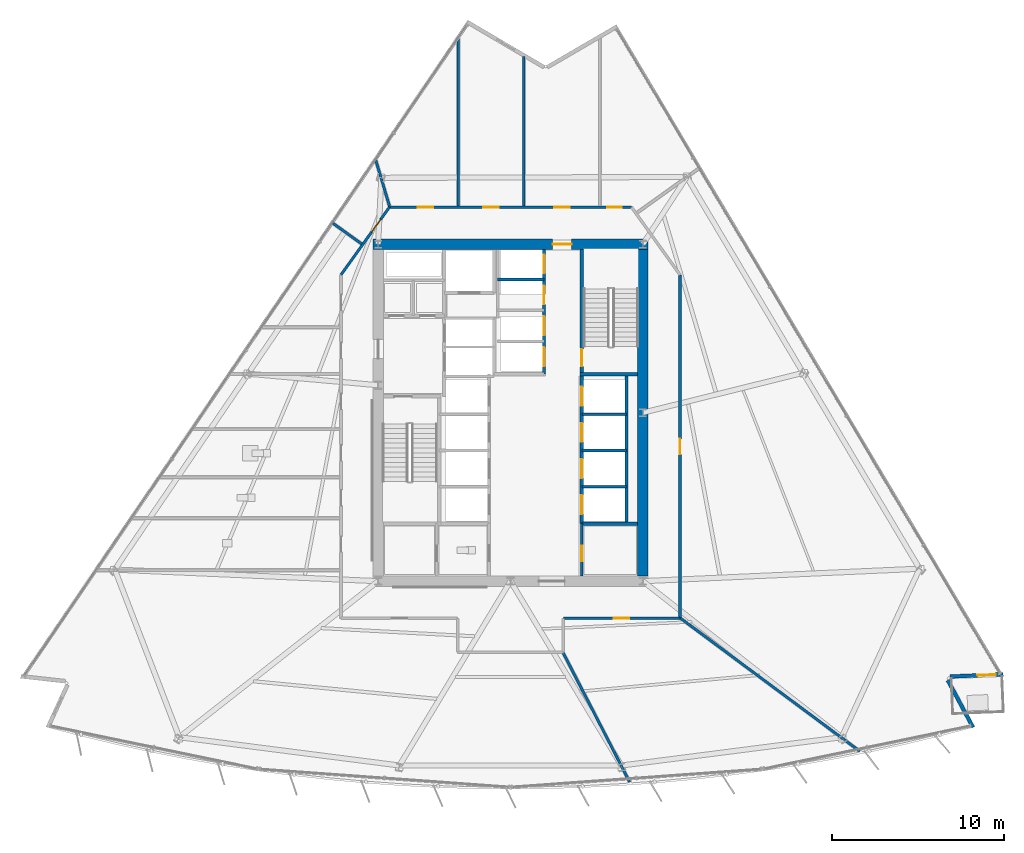
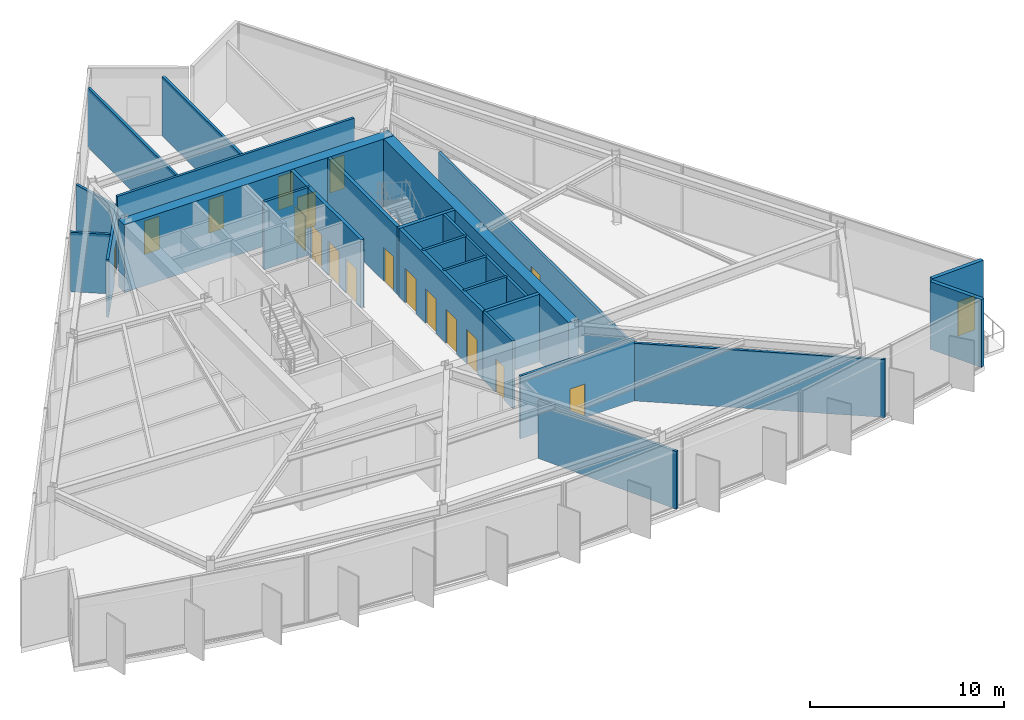
# One storey, part 8 of 14: 25 walls, 19 doors, 19 openings.
"""IFC4 building model written with IfcOpenShell, lengths in metres."""

from ifc_helpers import new_model, si_unit, direction, frame, frame_2d, origin, place, context, subcontext, project, spatial, rectangle, extrude, material, layer, layer_set, type_object, element, fill, save


model = new_model("IFC4")

# Units and contexts
model_context = context("Model", 3, precision=1e-05, world=origin(), true_north=direction((0.0, 1.0)))
body_context = subcontext(model_context, "Body", "Model", "MODEL_VIEW")
ifc_project = project(units=[si_unit("LENGTHUNIT", "METRE"), si_unit("AREAUNIT", "SQUARE_METRE"), si_unit("VOLUMEUNIT", "CUBIC_METRE"), si_unit("PLANEANGLEUNIT", "RADIAN"), si_unit("MASSUNIT", "GRAM", prefix="KILO")], contexts=[model_context])

# Site, building, storey
site_placement = place(None, origin())
site = spatial("IfcSite", under=ifc_project, at=site_placement, CompositionType="ELEMENT")
building_placement = place(site_placement, origin())
building = spatial("IfcBuilding", under=site, at=building_placement, Name="Savorim Split Tower", CompositionType="ELEMENT")
storey_placement = place(building_placement, frame((0.0, 0.0, 78.0)))
storey = spatial("IfcBuildingStorey", under=building, at=storey_placement, Name="L20", CompositionType="ELEMENT", Elevation=78.0)

# Wall, opening, door
ifc_material_1 = material(Name="Concrete C60/75", Category="concrete")
ifc_layer_1 = layer(ifc_material_1, 0.60009765625)
ifc_layer_set_1 = layer_set([ifc_layer_1], Name="WAL-COR-SH600")
wall_type_1 = type_object("IfcWallType", Name="WAL-COR-SH600", PredefinedType="SHEAR", material=ifc_layer_set_1)
wall_1_placement = place(storey_placement, frame((8.0, 10.199951171875, 0.0), z_axis=(0.0, 0.0, 1.0), x_axis=(-1.0, 0.0, 0.0)))
wall_1 = element("IfcWall", 1, at=wall_1_placement, inside=storey, type_object=wall_type_1, Name="L20 Offset Core North Shear Wall", PredefinedType="SHEAR", context=body_context, shape_type="SweptSolid", body=[
    extrude(rectangle(XDim=16.0, YDim=0.60009765625, at=frame_2d((8.0, 0.0))), origin(), (0.0, 0.0, 1.0), 4.25),
])
opening_1_placement = place(wall_1_placement, frame((4.449951171875, 0.0, 0.0)))
opening_1 = element("IfcOpeningElement", 2, at=opening_1_placement, cuts=wall_1, Name="Opening DI-03", PredefinedType="OPENING", context=body_context, shape_type="SweptSolid", body=[
    extrude(rectangle(XDim=1.10009765625, YDim=2.14990234375, at=frame_2d((0.550048828125, 1.074951171875))), frame((0.0, 0.31005859375, 0.0), z_axis=(0.0, -1.0, 0.0), x_axis=(1.0, 0.0, 0.0)), (0.0, 0.0, 1.0), 0.6201171875),
])
ifc_material_2 = material(Name="Timber Fire Door Leaf", Category="wood")
door_type_1 = type_object("IfcDoorType", Name="DOR-FIR-1100", OperationType="NOTDEFINED", PredefinedType="DOOR", material=ifc_material_2)
door_1_placement = place(opening_1_placement, origin())
door_1 = element("IfcDoor", 3, at=door_1_placement, inside=storey, type_object=door_type_1, Name="DOR-L20-COR-NLOB - L20 North Corridor Lobby Fire Door", OperationType="SINGLE_SWING_LEFT", OverallHeight=2.14990234375, OverallWidth=1.10009765625, PredefinedType="DOOR", context=body_context, shape_type="SweptSolid", body=[
    extrude(rectangle(XDim=1.10009765625, YDim=2.14990234375, at=frame_2d((0.550048828125, 1.074951171875))), frame((0.0, 0.02490234375, 0.0), z_axis=(0.0, -1.0, 0.0), x_axis=(1.0, 0.0, 0.0)), (0.0, 0.0, 1.0), 0.050048828125),
])
fill(opening_1, door_1)

# Walls
wall_2_placement = place(storey_placement, frame((7.699951171875, 9.89990234375, 0.0), z_axis=(0.0, 0.0, 1.0), x_axis=(0.0, -1.0, 0.0)))
element("IfcWall", 4, at=wall_2_placement, inside=storey, type_object=wall_type_1, Name="L20 Offset Core East Shear Wall", PredefinedType="SHEAR", context=body_context, shape_type="SweptSolid", body=[
    extrude(rectangle(XDim=19.0, YDim=0.60009765625, at=frame_2d((9.5, 0.0))), origin(), (0.0, 0.0, 1.0), 4.25),
])
ifc_material_3 = material(Name="Precast concrete C40/50", Category="concrete")
ifc_layer_2 = layer(ifc_material_3, 0.219970703125)
ifc_layer_set_2 = layer_set([ifc_layer_2], Name="WAL-EXT-CRN220")
wall_type_2 = type_object("IfcWallType", Name="WAL-EXT-CRN220", PredefinedType="SOLIDWALL", material=ifc_layer_set_2)
wall_3_placement = place(storey_placement, frame((25.44189453125, -15.164794921875, 0.0), z_axis=(0.0, 0.0, 1.0), x_axis=(0.472811757317, -0.881163459378, 0.0)))
element("IfcWall", 5, at=wall_3_placement, inside=storey, type_object=wall_type_2, Name="L20 Notched Corner Facade Wall SE1", PredefinedType="SOLIDWALL", context=body_context, shape_type="SweptSolid", body=[
    extrude(rectangle(XDim=3.109619140625, YDim=0.219970703125, at=frame_2d((1.5546875, 0.0))), origin(), (0.0, 0.0, 1.0), 4.25),
])

# Wall, opening, door
wall_4_placement = place(storey_placement, frame((28.667236328125, -14.819091796875, 0.0), z_axis=(0.0, 0.0, 1.0), x_axis=(-0.99909228571, -0.042598176436, 0.0)))
wall_4 = element("IfcWall", 6, at=wall_4_placement, inside=storey, type_object=wall_type_2, Name="L20 Notched Corner Facade Wall SE", PredefinedType="SOLIDWALL", context=body_context, shape_type="SweptSolid", body=[
    extrude(rectangle(XDim=3.1064453125, YDim=0.219970703125, at=frame_2d((1.55322265625, 0.0))), origin(), (0.0, 0.0, 1.0), 4.25),
])
opening_2_placement = place(wall_4_placement, frame((0.4482421875, 0.0, 0.0)))
opening_2 = element("IfcOpeningElement", 7, at=opening_2_placement, cuts=wall_4, Name="Opening DB-01", PredefinedType="OPENING", context=body_context, shape_type="SweptSolid", body=[
    extrude(rectangle(XDim=1.050048828125, YDim=2.14990234375, at=frame_2d((0.52490234375, 1.074951171875))), frame((0.0, 0.119873046875, 0.0), z_axis=(0.0, -1.0, 0.0), x_axis=(1.0, 0.0, 0.0)), (0.0, 0.0, 1.0), 0.239990234375),
])
ifc_material_4 = material(Name="Charcoal Anodised Aluminium", Category="aluminium")
door_type_2 = type_object("IfcDoorType", Name="DOR-BAL-1050", OperationType="NOTDEFINED", PredefinedType="DOOR", material=ifc_material_4)
door_2_placement = place(opening_2_placement, origin())
door_2 = element("IfcDoor", 8, at=door_2_placement, inside=storey, type_object=door_type_2, Name="DOR-L20-TBAL-SE - L20 Planted Tree Balcony Door SE", OperationType="SINGLE_SWING_LEFT", OverallHeight=2.14990234375, OverallWidth=1.050048828125, PredefinedType="DOOR", context=body_context, shape_type="SweptSolid", body=[
    extrude(rectangle(XDim=1.050048828125, YDim=2.14990234375, at=frame_2d((0.52490234375, 1.074951171875))), frame((0.0, 0.02490234375, 0.0), z_axis=(0.0, -1.0, 0.0), x_axis=(1.0, 0.0, 0.0)), (0.0, 0.0, 1.0), 0.050048828125),
])
fill(opening_2, door_2)

ifc_material_5 = material(Name="Concrete C50/60", Category="concrete")
ifc_layer_3 = layer(ifc_material_5, 0.199951171875)
ifc_layer_set_3 = layer_set([ifc_layer_3], Name="WAL-INT-RC200")
wall_type_3 = type_object("IfcWallType", Name="WAL-INT-RC200", PredefinedType="SOLIDWALL", material=ifc_layer_set_3)
wall_5_placement = place(storey_placement, frame((4.14990234375, 2.75, 0.0), z_axis=(0.0, 0.0, 1.0), x_axis=(0.0, 1.0, 0.0)))
wall_5 = element("IfcWall", 9, at=wall_5_placement, inside=storey, type_object=wall_type_3, Name="L20 Structural Shaft Wall W-L20-CR07", PredefinedType="SOLIDWALL", context=body_context, shape_type="SweptSolid", body=[
    extrude(rectangle(XDim=7.14990234375, YDim=0.199951171875, at=frame_2d((3.574951171875, 0.0))), origin(), (0.0, 0.0, 1.0), 4.25),
])
opening_3_placement = place(wall_5_placement, frame((0.35009765625, 0.0, 0.0)))
opening_3 = element("IfcOpeningElement", 10, at=opening_3_placement, cuts=wall_5, Name="Opening DI-04", PredefinedType="OPENING", context=body_context, shape_type="SweptSolid", body=[
    extrude(rectangle(XDim=1.0, YDim=2.14990234375, at=frame_2d((0.5, 1.074951171875))), frame((0.0, 0.10986328125, 0.0), z_axis=(0.0, -1.0, 0.0), x_axis=(1.0, 0.0, 0.0)), (0.0, 0.0, 1.0), 0.219970703125),
])
door_type_3 = type_object("IfcDoorType", Name="DOR-FIR-1000", OperationType="NOTDEFINED", PredefinedType="DOOR", material=ifc_material_2)
door_3_placement = place(opening_3_placement, origin())
door_3 = element("IfcDoor", 11, at=door_3_placement, inside=storey, type_object=door_type_3, Name="DR-L20-ST2 - L20 Stair ST-2 Enclosure Door", OperationType="SINGLE_SWING_RIGHT", OverallHeight=2.14990234375, OverallWidth=1.0, PredefinedType="DOOR", context=body_context, shape_type="SweptSolid", body=[
    extrude(rectangle(XDim=1.0, YDim=2.14990234375, at=frame_2d((0.5, 1.074951171875))), frame((0.0, 0.02490234375, 0.0), z_axis=(0.0, -1.0, 0.0), x_axis=(1.0, 0.0, 0.0)), (0.0, 0.0, 1.0), 0.050048828125),
])
fill(opening_3, door_3)

# Wall
wall_6_placement = place(storey_placement, frame((4.050048828125, 2.64990234375, 0.0), z_axis=(0.0, 0.0, 1.0), x_axis=(1.0, 0.0, 0.0)))
element("IfcWall", 12, at=wall_6_placement, inside=storey, type_object=wall_type_3, Name="L20 Structural Shaft Wall W-L20-CR08", PredefinedType="SOLIDWALL", context=body_context, shape_type="SweptSolid", body=[
    extrude(rectangle(XDim=3.349853515625, YDim=0.199951171875, at=frame_2d((1.6748046875, 0.0))), origin(), (0.0, 0.0, 1.0), 4.25),
])

# Wall, openings, doors
wall_7_placement = place(storey_placement, frame((4.14990234375, -6.050048828125, 0.0), z_axis=(0.0, 0.0, 1.0), x_axis=(0.0, 1.0, 0.0)))
wall_7 = element("IfcWall", 13, at=wall_7_placement, inside=storey, type_object=wall_type_3, Name="L20 Partition W-L20-B1FRONT", PredefinedType="SOLIDWALL", context=body_context, shape_type="SweptSolid", body=[
    extrude(rectangle(XDim=8.699951171875, YDim=0.199951171875, at=frame_2d((4.35009765625, 0.0))), origin(), (0.0, 0.0, 1.0), 4.25),
])
opening_4_placement = place(wall_7_placement, frame((0.550048828125, 0.0, 0.0)))
opening_4 = element("IfcOpeningElement", 14, at=opening_4_placement, cuts=wall_7, Name="Opening LD-01", PredefinedType="OPENING", context=body_context, shape_type="SweptSolid", body=[
    extrude(rectangle(XDim=1.10009765625, YDim=2.14990234375, at=frame_2d((0.550048828125, 1.074951171875))), frame((0.0, 0.10986328125, 0.0), z_axis=(0.0, -1.0, 0.0), x_axis=(1.0, 0.0, 0.0)), (0.0, 0.0, 1.0), 0.219970703125),
])
opening_5_placement = place(wall_7_placement, frame((2.64990234375, 0.0, 0.0)))
opening_5 = element("IfcOpeningElement", 15, at=opening_5_placement, cuts=wall_7, Name="Opening LD-01", PredefinedType="OPENING", context=body_context, shape_type="SweptSolid", body=[
    extrude(rectangle(XDim=1.10009765625, YDim=2.14990234375, at=frame_2d((0.550048828125, 1.074951171875))), frame((0.0, 0.10986328125, 0.0), z_axis=(0.0, -1.0, 0.0), x_axis=(1.0, 0.0, 0.0)), (0.0, 0.0, 1.0), 0.219970703125),
])
opening_6_placement = place(wall_7_placement, frame((4.75, 0.0, 0.0)))
opening_6 = element("IfcOpeningElement", 16, at=opening_6_placement, cuts=wall_7, Name="Opening LD-01", PredefinedType="OPENING", context=body_context, shape_type="SweptSolid", body=[
    extrude(rectangle(XDim=1.10009765625, YDim=2.14990234375, at=frame_2d((0.550048828125, 1.074951171875))), frame((0.0, 0.10986328125, 0.0), z_axis=(0.0, -1.0, 0.0), x_axis=(1.0, 0.0, 0.0)), (0.0, 0.0, 1.0), 0.219970703125),
])
opening_7_placement = place(wall_7_placement, frame((6.85009765625, 0.0, 0.0)))
opening_7 = element("IfcOpeningElement", 17, at=opening_7_placement, cuts=wall_7, Name="Opening LD-01", PredefinedType="OPENING", context=body_context, shape_type="SweptSolid", body=[
    extrude(rectangle(XDim=1.10009765625, YDim=2.14990234375, at=frame_2d((0.550048828125, 1.074951171875))), frame((0.0, 0.10986328125, 0.0), z_axis=(0.0, -1.0, 0.0), x_axis=(1.0, 0.0, 0.0)), (0.0, 0.0, 1.0), 0.219970703125),
])
door_type_4 = type_object("IfcDoorType", Name="DOR-SLD-LD1100", OperationType="NOTDEFINED", PredefinedType="DOOR", material=ifc_material_4)
door_4_placement = place(opening_4_placement, origin())
door_4 = element("IfcDoor", 18, at=door_4_placement, inside=storey, type_object=door_type_4, Name="DR-L20-LD-PLL1 - L20 Lift PL-L1 Sliding Landing Door", OperationType="DOUBLE_DOOR_SLIDING", OverallHeight=2.14990234375, OverallWidth=1.10009765625, PredefinedType="DOOR", context=body_context, shape_type="SweptSolid", body=[
    extrude(rectangle(XDim=1.10009765625, YDim=2.14990234375, at=frame_2d((0.550048828125, 1.074951171875))), frame((0.0, 0.02490234375, 0.0), z_axis=(0.0, -1.0, 0.0), x_axis=(1.0, 0.0, 0.0)), (0.0, 0.0, 1.0), 0.050048828125),
])
fill(opening_4, door_4)
door_5_placement = place(opening_5_placement, origin())
door_5 = element("IfcDoor", 19, at=door_5_placement, inside=storey, type_object=door_type_4, Name="DR-L20-LD-PLL2 - L20 Lift PL-L2 Sliding Landing Door", OperationType="DOUBLE_DOOR_SLIDING", OverallHeight=2.14990234375, OverallWidth=1.10009765625, PredefinedType="DOOR", context=body_context, shape_type="SweptSolid", body=[
    extrude(rectangle(XDim=1.10009765625, YDim=2.14990234375, at=frame_2d((0.550048828125, 1.074951171875))), frame((0.0, 0.02490234375, 0.0), z_axis=(0.0, -1.0, 0.0), x_axis=(1.0, 0.0, 0.0)), (0.0, 0.0, 1.0), 0.050048828125),
])
fill(opening_5, door_5)
door_6_placement = place(opening_6_placement, origin())
door_6 = element("IfcDoor", 20, at=door_6_placement, inside=storey, type_object=door_type_4, Name="DR-L20-LD-PLL3 - L20 Lift PL-L3 Sliding Landing Door", OperationType="DOUBLE_DOOR_SLIDING", OverallHeight=2.14990234375, OverallWidth=1.10009765625, PredefinedType="DOOR", context=body_context, shape_type="SweptSolid", body=[
    extrude(rectangle(XDim=1.10009765625, YDim=2.14990234375, at=frame_2d((0.550048828125, 1.074951171875))), frame((0.0, 0.02490234375, 0.0), z_axis=(0.0, -1.0, 0.0), x_axis=(1.0, 0.0, 0.0)), (0.0, 0.0, 1.0), 0.050048828125),
])
fill(opening_6, door_6)
door_7_placement = place(opening_7_placement, origin())
door_7 = element("IfcDoor", 21, at=door_7_placement, inside=storey, type_object=door_type_4, Name="DR-L20-LD-PLL4 - L20 Lift PL-L4 Sliding Landing Door", OperationType="DOUBLE_DOOR_SLIDING", OverallHeight=2.14990234375, OverallWidth=1.10009765625, PredefinedType="DOOR", context=body_context, shape_type="SweptSolid", body=[
    extrude(rectangle(XDim=1.10009765625, YDim=2.14990234375, at=frame_2d((0.550048828125, 1.074951171875))), frame((0.0, 0.02490234375, 0.0), z_axis=(0.0, -1.0, 0.0), x_axis=(1.0, 0.0, 0.0)), (0.0, 0.0, 1.0), 0.050048828125),
])
fill(opening_7, door_7)

wall_8_placement = place(storey_placement, frame((1.949951171875, 2.64990234375, 0.0), z_axis=(0.0, 0.0, 1.0), x_axis=(0.0, 1.0, 0.0)))
wall_8 = element("IfcWall", 22, at=wall_8_placement, inside=storey, type_object=wall_type_3, Name="L20 Partition W-L20-B3FRONT", PredefinedType="SOLIDWALL", context=body_context, shape_type="SweptSolid", body=[
    extrude(rectangle(XDim=7.2451171875, YDim=0.199951171875, at=frame_2d((3.62255859375, 0.0))), origin(), (0.0, 0.0, 1.0), 4.25),
])
opening_8_placement = place(wall_8_placement, frame((0.449951171875, 0.0, 0.0)))
opening_8 = element("IfcOpeningElement", 23, at=opening_8_placement, cuts=wall_8, Name="Opening LD-03", PredefinedType="OPENING", context=body_context, shape_type="SweptSolid", body=[
    extrude(rectangle(XDim=1.10009765625, YDim=2.14990234375, at=frame_2d((0.550048828125, 1.074951171875))), frame((0.0, 0.10986328125, 0.0), z_axis=(0.0, -1.0, 0.0), x_axis=(1.0, 0.0, 0.0)), (0.0, 0.0, 1.0), 0.219970703125),
])
opening_9_placement = place(wall_8_placement, frame((2.25, 0.0, 0.0)))
opening_9 = element("IfcOpeningElement", 24, at=opening_9_placement, cuts=wall_8, Name="Opening LD-03", PredefinedType="OPENING", context=body_context, shape_type="SweptSolid", body=[
    extrude(rectangle(XDim=1.10009765625, YDim=2.14990234375, at=frame_2d((0.550048828125, 1.074951171875))), frame((0.0, 0.10986328125, 0.0), z_axis=(0.0, -1.0, 0.0), x_axis=(1.0, 0.0, 0.0)), (0.0, 0.0, 1.0), 0.219970703125),
])
opening_10_placement = place(wall_8_placement, frame((4.050048828125, 0.0, 0.0)))
opening_10 = element("IfcOpeningElement", 25, at=opening_10_placement, cuts=wall_8, Name="Opening LD-03", PredefinedType="OPENING", context=body_context, shape_type="SweptSolid", body=[
    extrude(rectangle(XDim=1.10009765625, YDim=2.14990234375, at=frame_2d((0.550048828125, 1.074951171875))), frame((0.0, 0.10986328125, 0.0), z_axis=(0.0, -1.0, 0.0), x_axis=(1.0, 0.0, 0.0)), (0.0, 0.0, 1.0), 0.219970703125),
])
opening_11_placement = place(wall_8_placement, frame((5.85009765625, 0.0, 0.0)))
opening_11 = element("IfcOpeningElement", 26, at=opening_11_placement, cuts=wall_8, Name="Opening LD-03", PredefinedType="OPENING", context=body_context, shape_type="SweptSolid", body=[
    extrude(rectangle(XDim=1.10009765625, YDim=2.14990234375, at=frame_2d((0.550048828125, 1.074951171875))), frame((0.0, 0.10986328125, 0.0), z_axis=(0.0, -1.0, 0.0), x_axis=(1.0, 0.0, 0.0)), (0.0, 0.0, 1.0), 0.219970703125),
])
door_type_5 = type_object("IfcDoorType", Name="DOR-SLD-LDH1100", OperationType="NOTDEFINED", PredefinedType="DOOR", material=ifc_material_4)
door_8_placement = place(opening_8_placement, origin())
door_8 = element("IfcDoor", 27, at=door_8_placement, inside=storey, type_object=door_type_5, Name="DR-L20-LD-PLH1 - L20 Lift PL-H1 Sliding Landing Door", OperationType="DOUBLE_DOOR_SLIDING", OverallHeight=2.14990234375, OverallWidth=1.10009765625, PredefinedType="DOOR", context=body_context, shape_type="SweptSolid", body=[
    extrude(rectangle(XDim=1.10009765625, YDim=2.14990234375, at=frame_2d((0.550048828125, 1.074951171875))), frame((0.0, 0.02490234375, 0.0), z_axis=(0.0, -1.0, 0.0), x_axis=(1.0, 0.0, 0.0)), (0.0, 0.0, 1.0), 0.050048828125),
])
fill(opening_8, door_8)
door_9_placement = place(opening_9_placement, origin())
door_9 = element("IfcDoor", 28, at=door_9_placement, inside=storey, type_object=door_type_5, Name="DR-L20-LD-PLH2 - L20 Lift PL-H2 Sliding Landing Door", OperationType="DOUBLE_DOOR_SLIDING", OverallHeight=2.14990234375, OverallWidth=1.10009765625, PredefinedType="DOOR", context=body_context, shape_type="SweptSolid", body=[
    extrude(rectangle(XDim=1.10009765625, YDim=2.14990234375, at=frame_2d((0.550048828125, 1.074951171875))), frame((0.0, 0.02490234375, 0.0), z_axis=(0.0, -1.0, 0.0), x_axis=(1.0, 0.0, 0.0)), (0.0, 0.0, 1.0), 0.050048828125),
])
fill(opening_9, door_9)
door_10_placement = place(opening_10_placement, origin())
door_10 = element("IfcDoor", 29, at=door_10_placement, inside=storey, type_object=door_type_5, Name="DR-L20-LD-PLH3 - L20 Lift PL-H3 Sliding Landing Door", OperationType="DOUBLE_DOOR_SLIDING", OverallHeight=2.14990234375, OverallWidth=1.10009765625, PredefinedType="DOOR", context=body_context, shape_type="SweptSolid", body=[
    extrude(rectangle(XDim=1.10009765625, YDim=2.14990234375, at=frame_2d((0.550048828125, 1.074951171875))), frame((0.0, 0.02490234375, 0.0), z_axis=(0.0, -1.0, 0.0), x_axis=(1.0, 0.0, 0.0)), (0.0, 0.0, 1.0), 0.050048828125),
])
fill(opening_10, door_10)
door_11_placement = place(opening_11_placement, origin())
door_11 = element("IfcDoor", 30, at=door_11_placement, inside=storey, type_object=door_type_5, Name="DR-L20-LD-PLH4 - L20 Lift PL-H4 Sliding Landing Door", OperationType="DOUBLE_DOOR_SLIDING", OverallHeight=2.14990234375, OverallWidth=1.10009765625, PredefinedType="DOOR", context=body_context, shape_type="SweptSolid", body=[
    extrude(rectangle(XDim=1.10009765625, YDim=2.14990234375, at=frame_2d((0.550048828125, 1.074951171875))), frame((0.0, 0.02490234375, 0.0), z_axis=(0.0, -1.0, 0.0), x_axis=(1.0, 0.0, 0.0)), (0.0, 0.0, 1.0), 0.050048828125),
])
fill(opening_11, door_11)

# Walls
wall_9_placement = place(storey_placement, frame((4.14990234375, -6.050048828125, 0.0), z_axis=(0.0, 0.0, 1.0), x_axis=(1.0, 0.0, 0.0)))
element("IfcWall", 31, at=wall_9_placement, inside=storey, type_object=wall_type_3, Name="L20 Partition W-L20-KSEP-E", PredefinedType="SOLIDWALL", context=body_context, shape_type="SweptSolid", body=[
    extrude(rectangle(XDim=3.2451171875, YDim=0.199951171875, at=frame_2d((1.62255859375, 0.0))), origin(), (0.0, 0.0, 1.0), 4.25),
])
ifc_material_6 = material(Name="Acoustic Gypsum Partition Board")
ifc_layer_4 = layer(ifc_material_6, 0.14990234375)
ifc_layer_set_4 = layer_set([ifc_layer_4], Name="WAL-PAR-150")
wall_type_4 = type_object("IfcWallType", Name="WAL-PAR-150", PredefinedType="PARTITIONING", material=ifc_layer_set_4)
wall_10_placement = place(storey_placement, frame((6.75, -6.050048828125, 0.0), z_axis=(0.0, 0.0, 1.0), x_axis=(0.0, 1.0, 0.0)))
element("IfcWall", 32, at=wall_10_placement, inside=storey, type_object=wall_type_4, Name="L20 Partition W-L20-B1BACK", PredefinedType="PARTITIONING", context=body_context, shape_type="SweptSolid", body=[
    extrude(rectangle(XDim=8.699951171875, YDim=0.14990234375, at=frame_2d((4.35009765625, 0.0))), origin(), (0.0, 0.0, 1.0), 4.25),
])
for number, where, z_axis, x_axis, name in (
    (33, (4.14990234375, -3.89990234375, 0.0), (0.0, 0.0, 1.0), (1.0, 0.0, 0.0), "L20 Partition W-L20-B1DIV1"),
    (34, (4.14990234375, -1.800048828125, 0.0), (0.0, 0.0, 1.0), (1.0, 0.0, 0.0), "L20 Partition W-L20-B1DIV2"),
    (35, (4.14990234375, 0.300048828125, 0.0), (0.0, 0.0, 1.0), (1.0, 0.0, 0.0), "L20 Partition W-L20-B1DIV3"),
):
    element("IfcWall", number, at=place(storey_placement, frame(where, z_axis=z_axis, x_axis=x_axis)), inside=storey, type_object=wall_type_4, Name=name, PredefinedType="PARTITIONING", context=body_context, shape_type="SweptSolid", body=[
        extrude(rectangle(XDim=2.60009765625, YDim=0.14990234375, at=frame_2d((1.300048828125, 0.0))), origin(), (0.0, 0.0, 1.0), 4.25),
    ])
wall_11_placement = place(storey_placement, frame((-0.75, 8.14990234375, 0.0), z_axis=(0.0, 0.0, 1.0), x_axis=(1.0, 0.0, 0.0)))
element("IfcWall", 36, at=wall_11_placement, inside=storey, type_object=wall_type_4, Name="L20 Partition W-L20-B3DIV3", PredefinedType="PARTITIONING", context=body_context, shape_type="SweptSolid", body=[
    extrude(rectangle(XDim=2.699951171875, YDim=0.14990234375, at=frame_2d((1.35009765625, 0.0))), origin(), (0.0, 0.0, 1.0), 4.25),
])

# Wall, opening, door
wall_12_placement = place(storey_placement, frame((4.14990234375, -9.094970703125, 0.0), z_axis=(0.0, 0.0, 1.0), x_axis=(0.0, 1.0, 0.0)))
wall_12 = element("IfcWall", 37, at=wall_12_placement, inside=storey, type_object=wall_type_4, Name="L20 Partition W-L20-KLOB-E", PredefinedType="PARTITIONING", context=body_context, shape_type="SweptSolid", body=[
    extrude(rectangle(XDim=3.044921875, YDim=0.14990234375, at=frame_2d((1.5224609375, 0.0))), origin(), (0.0, 0.0, 1.0), 4.25),
])
opening_12_placement = place(wall_12_placement, frame((0.844970703125, 0.0, 0.0)))
opening_12 = element("IfcOpeningElement", 38, at=opening_12_placement, cuts=wall_12, Name="Opening DI-06", PredefinedType="OPENING", context=body_context, shape_type="SweptSolid", body=[
    extrude(rectangle(XDim=0.89990234375, YDim=2.10009765625, at=frame_2d((0.449951171875, 1.050048828125))), frame((0.0, 0.0849609375, 0.0), z_axis=(0.0, -1.0, 0.0), x_axis=(1.0, 0.0, 0.0)), (0.0, 0.0, 1.0), 0.169921875),
])
door_type_6 = type_object("IfcDoorType", Name="DOR-FIR-900", OperationType="NOTDEFINED", PredefinedType="DOOR", material=ifc_material_2)
door_12_placement = place(opening_12_placement, origin())
door_12 = element("IfcDoor", 39, at=door_12_placement, inside=storey, type_object=door_type_6, Name="DR-L20-K1IT - L20 Core IT Room Door", OperationType="SINGLE_SWING_LEFT", OverallHeight=2.10009765625, OverallWidth=0.89990234375, PredefinedType="DOOR", context=body_context, shape_type="SweptSolid", body=[
    extrude(rectangle(XDim=0.89990234375, YDim=2.10009765625, at=frame_2d((0.449951171875, 1.050048828125))), frame((0.0, 0.02490234375, 0.0), z_axis=(0.0, -1.0, 0.0), x_axis=(1.0, 0.0, 0.0)), (0.0, 0.0, 1.0), 0.050048828125),
])
fill(opening_12, door_12)

wall_13_placement = place(storey_placement, frame((-9.860107421875, 8.42578125, 0.0), z_axis=(0.0, 0.0, 1.0), x_axis=(0.582449511476, 0.812866881218, 0.0)))
wall_13 = element("IfcWall", 40, at=wall_13_placement, inside=storey, type_object=wall_type_4, Name="L20 Partition W-L20-COR-02", PredefinedType="PARTITIONING", context=body_context, shape_type="SweptSolid", body=[
    extrude(rectangle(XDim=4.840087890625, YDim=0.14990234375, at=frame_2d((2.419921875, 0.0))), origin(), (0.0, 0.0, 1.0), 3.625),
])
opening_13_placement = place(wall_13_placement, frame((3.06103515625, 0.0, 0.0)))
opening_13 = element("IfcOpeningElement", 41, at=opening_13_placement, cuts=wall_13, Name="Opening DI-06", PredefinedType="OPENING", context=body_context, shape_type="SweptSolid", body=[
    extrude(rectangle(XDim=0.89990234375, YDim=2.10009765625, at=frame_2d((0.449951171875, 1.050048828125))), frame((0.0, 0.0849609375, 0.0), z_axis=(0.0, -1.0, 0.0), x_axis=(1.0, 0.0, 0.0)), (0.0, 0.0, 1.0), 0.169921875),
])
door_13_placement = place(opening_13_placement, origin())
door_13 = element("IfcDoor", 42, at=door_13_placement, inside=storey, type_object=door_type_6, Name="DR-L20-RM11 - L20 Co-Working Commons Entry Door", OperationType="SINGLE_SWING_RIGHT", OverallHeight=2.10009765625, OverallWidth=0.89990234375, PredefinedType="DOOR", context=body_context, shape_type="SweptSolid", body=[
    extrude(rectangle(XDim=0.89990234375, YDim=2.10009765625, at=frame_2d((0.449951171875, 1.050048828125))), frame((0.0, 0.02490234375, 0.0), z_axis=(0.0, -1.0, 0.0), x_axis=(1.0, 0.0, 0.0)), (0.0, 0.0, 1.0), 0.050048828125),
])
fill(opening_13, door_13)

# Wall, openings, doors
wall_14_placement = place(storey_placement, frame((-7.041015625, 12.360107421875, 0.0), z_axis=(0.0, 0.0, 1.0), x_axis=(1.0, 0.0, 0.0)))
wall_14 = element("IfcWall", 43, at=wall_14_placement, inside=storey, type_object=wall_type_4, Name="L20 Partition W-L20-COR-03", PredefinedType="PARTITIONING", context=body_context, shape_type="SweptSolid", body=[
    extrude(rectangle(XDim=14.08203125, YDim=0.14990234375, at=frame_2d((7.041015625, 0.0))), origin(), (0.0, 0.0, 1.0), 4.25),
])
opening_14_placement = place(wall_14_placement, frame((12.664794921875, 0.0, 0.0)))
opening_14 = element("IfcOpeningElement", 44, at=opening_14_placement, cuts=wall_14, Name="Opening DI-13", PredefinedType="OPENING", context=body_context, shape_type="SweptSolid", body=[
    extrude(rectangle(XDim=0.85009765625, YDim=2.10009765625, at=frame_2d((0.425048828125, 1.050048828125))), frame((0.0, 0.0849609375, 0.0), z_axis=(0.0, -1.0, 0.0), x_axis=(1.0, 0.0, 0.0)), (0.0, 0.0, 1.0), 0.169921875),
])
opening_15_placement = place(wall_14_placement, frame((9.58447265625, 0.0, 0.0)))
opening_15 = element("IfcOpeningElement", 45, at=opening_15_placement, cuts=wall_14, Name="Opening DI-06", PredefinedType="OPENING", context=body_context, shape_type="SweptSolid", body=[
    extrude(rectangle(XDim=0.89990234375, YDim=2.10009765625, at=frame_2d((0.449951171875, 1.050048828125))), frame((0.0, 0.0849609375, 0.0), z_axis=(0.0, -1.0, 0.0), x_axis=(1.0, 0.0, 0.0)), (0.0, 0.0, 1.0), 0.169921875),
])
opening_16_placement = place(wall_14_placement, frame((5.46484375, 0.0, 0.0)))
opening_16 = element("IfcOpeningElement", 46, at=opening_16_placement, cuts=wall_14, Name="Opening DI-06", PredefinedType="OPENING", context=body_context, shape_type="SweptSolid", body=[
    extrude(rectangle(XDim=0.89990234375, YDim=2.10009765625, at=frame_2d((0.449951171875, 1.050048828125))), frame((0.0, 0.0849609375, 0.0), z_axis=(0.0, -1.0, 0.0), x_axis=(1.0, 0.0, 0.0)), (0.0, 0.0, 1.0), 0.169921875),
])
opening_17_placement = place(wall_14_placement, frame((1.64208984375, 0.0, 0.0)))
opening_17 = element("IfcOpeningElement", 47, at=opening_17_placement, cuts=wall_14, Name="Opening DI-06", PredefinedType="OPENING", context=body_context, shape_type="SweptSolid", body=[
    extrude(rectangle(XDim=0.89990234375, YDim=2.10009765625, at=frame_2d((0.449951171875, 1.050048828125))), frame((0.0, 0.0849609375, 0.0), z_axis=(0.0, -1.0, 0.0), x_axis=(1.0, 0.0, 0.0)), (0.0, 0.0, 1.0), 0.169921875),
])
door_type_7 = type_object("IfcDoorType", Name="DOR-FIR-850", OperationType="NOTDEFINED", PredefinedType="DOOR", material=ifc_material_2)
door_14_placement = place(opening_14_placement, origin())
door_14 = element("IfcDoor", 48, at=door_14_placement, inside=storey, type_object=door_type_7, Name="DR-L20-RM07 - L20 Communal Lounge Entry Door", OperationType="SINGLE_SWING_RIGHT", OverallHeight=2.10009765625, OverallWidth=0.85009765625, PredefinedType="DOOR", context=body_context, shape_type="SweptSolid", body=[
    extrude(rectangle(XDim=0.85009765625, YDim=2.10009765625, at=frame_2d((0.425048828125, 1.050048828125))), frame((0.0, 0.02490234375, 0.0), z_axis=(0.0, -1.0, 0.0), x_axis=(1.0, 0.0, 0.0)), (0.0, 0.0, 1.0), 0.050048828125),
])
fill(opening_14, door_14)
door_15_placement = place(opening_15_placement, origin())
door_15 = element("IfcDoor", 49, at=door_15_placement, inside=storey, type_object=door_type_6, Name="DR-L20-RM08 - L20 Quiet Study Room Entry Door", OperationType="SINGLE_SWING_LEFT", OverallHeight=2.10009765625, OverallWidth=0.89990234375, PredefinedType="DOOR", context=body_context, shape_type="SweptSolid", body=[
    extrude(rectangle(XDim=0.89990234375, YDim=2.10009765625, at=frame_2d((0.449951171875, 1.050048828125))), frame((0.0, 0.02490234375, 0.0), z_axis=(0.0, -1.0, 0.0), x_axis=(1.0, 0.0, 0.0)), (0.0, 0.0, 1.0), 0.050048828125),
])
fill(opening_15, door_15)
door_16_placement = place(opening_16_placement, origin())
door_16 = element("IfcDoor", 50, at=door_16_placement, inside=storey, type_object=door_type_6, Name="DR-L20-RM09 - L20 Co-Working Commons Entry Door", OperationType="SINGLE_SWING_RIGHT", OverallHeight=2.10009765625, OverallWidth=0.89990234375, PredefinedType="DOOR", context=body_context, shape_type="SweptSolid", body=[
    extrude(rectangle(XDim=0.89990234375, YDim=2.10009765625, at=frame_2d((0.449951171875, 1.050048828125))), frame((0.0, 0.02490234375, 0.0), z_axis=(0.0, -1.0, 0.0), x_axis=(1.0, 0.0, 0.0)), (0.0, 0.0, 1.0), 0.050048828125),
])
fill(opening_16, door_16)
door_17_placement = place(opening_17_placement, origin())
door_17 = element("IfcDoor", 51, at=door_17_placement, inside=storey, type_object=door_type_6, Name="DR-L20-RM10 - L20 Quiet Study Room Entry Door", OperationType="SINGLE_SWING_LEFT", OverallHeight=2.10009765625, OverallWidth=0.89990234375, PredefinedType="DOOR", context=body_context, shape_type="SweptSolid", body=[
    extrude(rectangle(XDim=0.89990234375, YDim=2.10009765625, at=frame_2d((0.449951171875, 1.050048828125))), frame((0.0, 0.02490234375, 0.0), z_axis=(0.0, -1.0, 0.0), x_axis=(1.0, 0.0, 0.0)), (0.0, 0.0, 1.0), 0.050048828125),
])
fill(opening_17, door_17)

# Wall, opening, door
wall_15_placement = place(storey_placement, frame((9.860107421875, 8.42578125, 0.0), z_axis=(0.0, 0.0, 1.0), x_axis=(0.0, -1.0, 0.0)))
wall_15 = element("IfcWall", 52, at=wall_15_placement, inside=storey, type_object=wall_type_4, Name="L20 Partition W-L20-COR-05", PredefinedType="PARTITIONING", context=body_context, shape_type="SweptSolid", body=[
    extrude(rectangle(XDim=19.98583984375, YDim=0.14990234375, at=frame_2d((9.992919921875, 0.0))), origin(), (0.0, 0.0, 1.0), 3.509033203125),
])
opening_18_placement = place(wall_15_placement, frame((9.54296875, 0.0, 0.0)))
opening_18 = element("IfcOpeningElement", 53, at=opening_18_placement, cuts=wall_15, Name="Opening DI-06", PredefinedType="OPENING", context=body_context, shape_type="SweptSolid", body=[
    extrude(rectangle(XDim=0.89990234375, YDim=2.10009765625, at=frame_2d((0.449951171875, 1.050048828125))), frame((0.0, 0.0849609375, 0.0), z_axis=(0.0, -1.0, 0.0), x_axis=(1.0, 0.0, 0.0)), (0.0, 0.0, 1.0), 0.169921875),
])
door_18_placement = place(opening_18_placement, origin())
door_18 = element("IfcDoor", 54, at=door_18_placement, inside=storey, type_object=door_type_6, Name="DR-L20-RM06 - L20 Co-Working Commons Entry Door", OperationType="SINGLE_SWING_LEFT", OverallHeight=2.10009765625, OverallWidth=0.89990234375, PredefinedType="DOOR", context=body_context, shape_type="SweptSolid", body=[
    extrude(rectangle(XDim=0.89990234375, YDim=2.10009765625, at=frame_2d((0.449951171875, 1.050048828125))), frame((0.0, 0.02490234375, 0.0), z_axis=(0.0, -1.0, 0.0), x_axis=(1.0, 0.0, 0.0)), (0.0, 0.0, 1.0), 0.050048828125),
])
fill(opening_18, door_18)

wall_16_placement = place(storey_placement, frame((9.860107421875, -11.56005859375, 0.0), z_axis=(0.0, 0.0, 1.0), x_axis=(-1.0, 0.0, 0.0)))
wall_16 = element("IfcWall", 55, at=wall_16_placement, inside=storey, type_object=wall_type_4, Name="L20 Partition W-L20-COR-06", PredefinedType="PARTITIONING", context=body_context, shape_type="SweptSolid", body=[
    extrude(rectangle(XDim=6.780029296875, YDim=0.14990234375, at=frame_2d((3.39013671875, 0.0))), origin(), (0.0, 0.0, 1.0), 3.925048828125),
])
opening_19_placement = place(wall_16_placement, frame((2.93994140625, 0.0, 0.0)))
opening_19 = element("IfcOpeningElement", 56, at=opening_19_placement, cuts=wall_16, Name="Opening DI-06", PredefinedType="OPENING", context=body_context, shape_type="SweptSolid", body=[
    extrude(rectangle(XDim=0.89990234375, YDim=2.10009765625, at=frame_2d((0.449951171875, 1.050048828125))), frame((0.0, 0.0849609375, 0.0), z_axis=(0.0, -1.0, 0.0), x_axis=(1.0, 0.0, 0.0)), (0.0, 0.0, 1.0), 0.169921875),
])
door_19_placement = place(opening_19_placement, origin())
door_19 = element("IfcDoor", 57, at=door_19_placement, inside=storey, type_object=door_type_6, Name="DR-L20-RM05 - L20 Co-Working Commons Entry Door", OperationType="SINGLE_SWING_RIGHT", OverallHeight=2.10009765625, OverallWidth=0.89990234375, PredefinedType="DOOR", context=body_context, shape_type="SweptSolid", body=[
    extrude(rectangle(XDim=0.89990234375, YDim=2.10009765625, at=frame_2d((0.449951171875, 1.050048828125))), frame((0.0, 0.02490234375, 0.0), z_axis=(0.0, -1.0, 0.0), x_axis=(1.0, 0.0, 0.0)), (0.0, 0.0, 1.0), 0.050048828125),
])
fill(opening_19, door_19)

# Walls
wall_17_placement = place(storey_placement, frame((3.06591796875, -13.5732421875, 0.0), z_axis=(0.0, 0.0, 1.0), x_axis=(0.457623291796, -0.889146176287, 0.0)))
element("IfcWall", 58, at=wall_17_placement, inside=storey, type_object=wall_type_4, Name="L20 Partition W-L20-SLR03", PredefinedType="PARTITIONING", context=body_context, shape_type="SweptSolid", body=[
    extrude(rectangle(XDim=8.455810546875, YDim=0.14990234375, at=frame_2d((4.22802734375, 0.0))), origin(), (0.0, 0.0, 1.0), 3.625),
])
wall_18_placement = place(storey_placement, frame((9.89453125, -11.56005859375, 0.0), z_axis=(0.0, 0.0, 1.0), x_axis=(0.80320598441, -0.59570139047, 0.0)))
element("IfcWall", 59, at=wall_18_placement, inside=storey, type_object=wall_type_4, Name="L20 Partition W-L20-SLR04", PredefinedType="PARTITIONING", context=body_context, shape_type="SweptSolid", body=[
    extrude(rectangle(XDim=12.984375, YDim=0.14990234375, at=frame_2d((6.4921875, 0.0))), origin(), (0.0, 0.0, 1.0), 3.625),
])
wall_19_placement = place(storey_placement, frame((-7.039306640625, 12.414306640625, 0.0), z_axis=(0.0, 0.0, 1.0), x_axis=(-0.285761288686, 0.958300832666, 0.0)))
element("IfcWall", 60, at=wall_19_placement, inside=storey, type_object=wall_type_4, Name="L20 Partition W-L20-SLR08", PredefinedType="PARTITIONING", context=body_context, shape_type="SweptSolid", body=[
    extrude(rectangle(XDim=2.78173828125, YDim=0.14990234375, at=frame_2d((1.390869140625, 0.0))), origin(), (0.0, 0.0, 1.0), 3.625),
])
wall_20_placement = place(storey_placement, frame((0.782470703125, 12.419921875, 0.0), z_axis=(0.0, 0.0, 1.0), x_axis=(0.0, 1.0, 0.0)))
element("IfcWall", 61, at=wall_20_placement, inside=storey, type_object=wall_type_4, Name="L20 Partition W-L20-SLSUB02", PredefinedType="PARTITIONING", context=body_context, shape_type="SweptSolid", body=[
    extrude(rectangle(XDim=8.711669921875, YDim=0.14990234375, at=frame_2d((4.35595703125, 0.0))), origin(), (0.0, 0.0, 1.0), 3.735107421875),
])
wall_21_placement = place(storey_placement, frame((-8.650390625, 10.217041015625, 0.0), z_axis=(0.0, 0.0, 1.0), x_axis=(-0.812860125966, 0.582458938994, 0.0)))
element("IfcWall", 62, at=wall_21_placement, inside=storey, type_object=wall_type_4, Name="L20 Partition W-L20-SLSUB03", PredefinedType="PARTITIONING", context=body_context, shape_type="SweptSolid", body=[
    extrude(rectangle(XDim=2.06103515625, YDim=0.14990234375, at=frame_2d((1.030517578125, 0.0))), origin(), (0.0, 0.0, 1.0), 3.735107421875),
])
wall_22_placement = place(storey_placement, frame((-3.034912109375, 12.419921875, 0.0), z_axis=(0.0, 0.0, 1.0), x_axis=(0.0, 1.0, 0.0)))
element("IfcWall", 63, at=wall_22_placement, inside=storey, type_object=wall_type_4, Name="L20 Partition W-L20-SLSUB07", PredefinedType="PARTITIONING", context=body_context, shape_type="SweptSolid", body=[
    extrude(rectangle(XDim=9.71484375, YDim=0.14990234375, at=frame_2d((4.857421875, 0.0))), origin(), (0.0, 0.0, 1.0), 3.735107421875),
])

save(model, "model.ifc")
